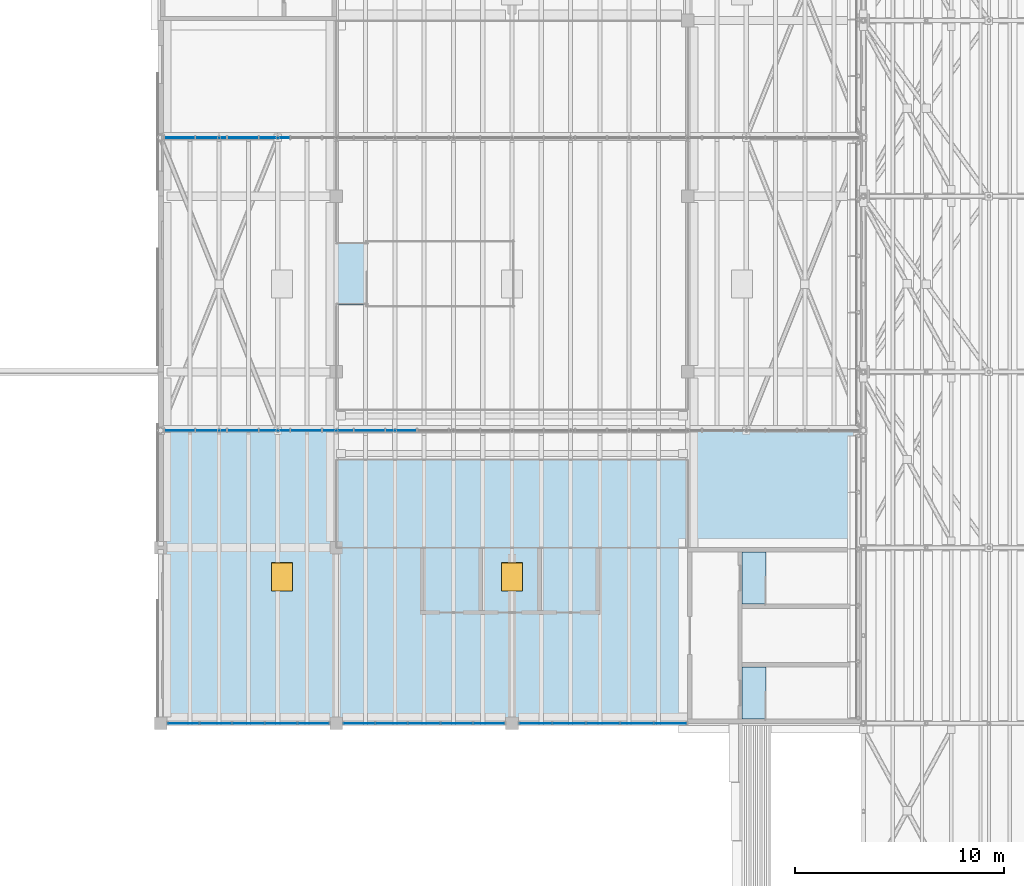
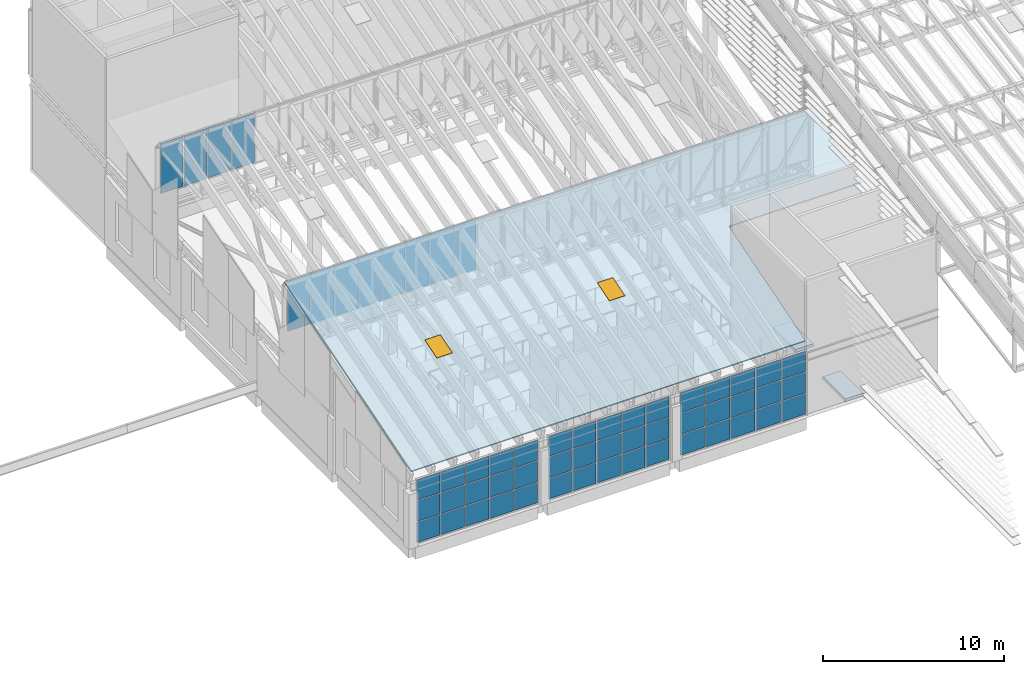
# One storey, part 59 of 91: 57 plates, 4 slabs, 2 windows, 2 openings, 5 elements without a shape of their own.
"""IFC4 building model written with IfcOpenShell, lengths in metres."""

from ifc_helpers import new_model, si_unit, direction, frame, origin, origin_2d, place, context, subcontext, project, spatial, polyline, rectangle, outline, extrude, material, layer, layer_set, type_object, element, fill, aggregate, save


model = new_model("IFC4")

# Units and contexts
model_context = context("Model", 3, precision=1e-05, world=origin(), true_north=direction((0.0, 1.0)))
body_context = subcontext(model_context, "Body", "Model", "MODEL_VIEW")
ifc_project = project(units=[si_unit("LENGTHUNIT", "METRE"), si_unit("AREAUNIT", "SQUARE_METRE"), si_unit("VOLUMEUNIT", "CUBIC_METRE"), si_unit("PLANEANGLEUNIT", "RADIAN"), si_unit("MASSUNIT", "GRAM", prefix="KILO")], contexts=[model_context])

# Site, building, storey
site_placement = place(None, origin())
site = spatial("IfcSite", under=ifc_project, at=site_placement, CompositionType="ELEMENT")
building_placement = place(site_placement, origin())
building = spatial("IfcBuilding", under=site, at=building_placement, Name="Almond Square Museum", CompositionType="ELEMENT")
storey_placement = place(building_placement, frame((0.0, 0.0, 30.0)))
storey = spatial("IfcBuildingStorey", under=building, at=storey_placement, Name="L05", CompositionType="ELEMENT", Elevation=30.0)

# Slabs
ifc_material_1 = material(Name="Concrete C40/50", Category="concrete")
ifc_layer_1 = layer(ifc_material_1, 0.199951171875)
ifc_layer_set_1 = layer_set([ifc_layer_1], Name="Concrete C40/50")
slab_type_1 = type_object("IfcSlabType", Name="Concrete stair landing 200", PredefinedType="LANDING", material=ifc_layer_set_1)
slab_1_placement = place(storey_placement, frame((0.0, 0.0, -0.199951171875)))
element("IfcSlab", 1, at=slab_1_placement, inside=storey, type_object=slab_type_1, Name="L05 stair A2-1 floor landing", PredefinedType="LANDING", context=body_context, shape_type="SweptSolid", body=[
    extrude(outline(polyline([(101.0, 67.39990234375), (102.153076171875, 67.39990234375), (102.153076171875, 69.89990234375), (101.0, 69.89990234375), (101.0, 67.39990234375)])), origin(), (0.0, 0.0, 1.0), 0.199951171875),
])
slab_2_placement = place(storey_placement, frame((0.0, 0.0, -0.199951171875)))
element("IfcSlab", 2, at=slab_2_placement, inside=storey, type_object=slab_type_1, Name="L05 stair A2-2 floor landing", PredefinedType="LANDING", context=body_context, shape_type="SweptSolid", body=[
    extrude(outline(polyline([(101.0, 72.89990234375), (102.153076171875, 72.89990234375), (102.153076171875, 75.39990234375), (101.0, 75.39990234375), (101.0, 72.89990234375)])), origin(), (0.0, 0.0, 1.0), 0.199951171875),
])
ifc_material_2 = material(Name="Concrete C40/50", Category="concrete")
ifc_layer_2 = layer(ifc_material_2, 0.199951171875)
ifc_layer_set_2 = layer_set([ifc_layer_2], Name="Concrete C40/50")
slab_type_2 = type_object("IfcSlabType", Name="Feature stair landing 200", PredefinedType="LANDING", material=ifc_layer_set_2)
slab_3_placement = place(storey_placement, frame((0.0, 0.0, -0.199951171875)))
element("IfcSlab", 3, at=slab_3_placement, inside=storey, type_object=slab_type_2, Name="L05 atrium feature stair floor landing", PredefinedType="LANDING", context=body_context, shape_type="SweptSolid", body=[
    extrude(outline(polyline([(81.60009765625, 87.199951171875), (83.10302734375, 87.199951171875), (83.10302734375, 90.199951171875), (81.60009765625, 90.199951171875), (81.60009765625, 87.199951171875)])), origin(), (0.0, 0.0, 1.0), 0.199951171875),
])

# Slab, openings, windows
ifc_material_3 = material(Name="Insulated aluminium roof deck", Category="aluminium")
ifc_layer_3 = layer(ifc_material_3, 0.10009765625)
ifc_layer_set_3 = layer_set([ifc_layer_3], Name="Insulated aluminium roof deck")
slab_type_3 = type_object("IfcSlabType", Name="Insulated metal deck roof 100", PredefinedType="ROOF", material=ifc_layer_set_3)
slab_4_placement = place(storey_placement, frame((73.199951171875, 67.199951171875, 5.0), z_axis=(5.49644e-07, -0.292373342907, 0.956304255118), x_axis=(-1e-12, 0.956304255118, 0.292373342907)))
slab_4 = element("IfcSlab", 4, at=slab_4_placement, inside=storey, type_object=slab_type_3, Name="Roof covering AR1", PredefinedType="ROOF", context=body_context, shape_type="SweptSolid", body=[
    extrude(outline(polyline([(0.0, 0.0), (14.639697425134251, -4.235164736271502e-22), (14.639697425112931, -33.60009765624492), (8.836069650501557, -33.60009765621324), (8.836069650506886, -25.199951171839512), (8.83599827029622, -25.19506835946784), (8.835064379422084, -25.190185546810905), (8.83375425540807, -25.185546874996394), (8.832210658675523, -25.180908203142643), (8.829895263576704, -25.176513671924518), (8.827346395759346, -25.17236328129216), (8.824259202294249, -25.168457031334665), (8.820938536110617, -25.164550781337933), (8.816917451771381, -25.161376953098497), (8.812824987221473, -25.15844726561239), (8.808499049953031, -25.15600585933705), (8.803868259755383, -25.1538085937758), (8.799003996839199, -25.15234375005032), (8.794139733923018, -25.151123046949838), (8.7890419982883, -25.15014648443512), (8.783944262653579, -25.150146484420404), (-1.5958560120650772e-11, -25.1501464843712), (0.0, 0.0)])), origin(), (0.0, 0.0, -1.0), 0.10009765625),
])
opening_1_placement = place(slab_4_placement, frame((7.31982421875, -5.800048828125, 0.010009765625), z_axis=(0.0, 0.0, -1.0), x_axis=(1.797794e-06, -0.999999999998, 0.0)))
opening_1 = element("IfcOpeningElement", 5, at=opening_1_placement, cuts=slab_4, Name="Opening RL11", PredefinedType="OPENING", context=body_context, shape_type="SweptSolid", body=[
    extrude(rectangle(XDim=1.0, YDim=1.39990234375, at=origin_2d()), origin(), (0.0, 0.0, 1.0), 0.1201171875),
])
opening_2_placement = place(slab_4_placement, frame((7.31982421875, -16.800048828125, 0.010009765625), z_axis=(0.0, 0.0, -1.0), x_axis=(1.797794e-06, -0.999999999998, 0.0)))
opening_2 = element("IfcOpeningElement", 6, at=opening_2_placement, cuts=slab_4, Name="Opening RL12", PredefinedType="OPENING", context=body_context, shape_type="SweptSolid", body=[
    extrude(rectangle(XDim=1.0, YDim=1.39990234375, at=origin_2d()), origin(), (0.0, 0.0, 1.0), 0.1201171875),
])
ifc_material_4 = material(Name="Aluminium frame and laminated glass", Category="aluminium")
window_type = type_object("IfcWindowType", Name="Rooflight 1000 x 1400", PartitioningType="SINGLE_PANEL", PredefinedType="SKYLIGHT", material=ifc_material_4)
window_1_placement = place(opening_1_placement, frame((0.0, 0.0, 0.010009765625)))
window_1 = element("IfcWindow", 7, at=window_1_placement, inside=storey, type_object=window_type, Name="Rooflight", OverallHeight=1.39990234375, OverallWidth=1.0, PartitioningType="SINGLE_PANEL", PredefinedType="SKYLIGHT", context=body_context, shape_type="SweptSolid", body=[
    extrude(rectangle(XDim=1.0, YDim=1.39990234375, at=origin_2d()), origin(), (0.0, 0.0, 1.0), 0.050048828125),
])
fill(opening_1, window_1)
window_2_placement = place(opening_2_placement, frame((0.0, 0.0, 0.010009765625)))
window_2 = element("IfcWindow", 8, at=window_2_placement, inside=storey, type_object=window_type, Name="Rooflight", OverallHeight=1.39990234375, OverallWidth=1.0, PartitioningType="SINGLE_PANEL", PredefinedType="SKYLIGHT", context=body_context, shape_type="SweptSolid", body=[
    extrude(rectangle(XDim=1.0, YDim=1.39990234375, at=origin_2d()), origin(), (0.0, 0.0, 1.0), 0.050048828125),
])
fill(opening_2, window_2)

# Curtain wall, plates
ifc_material_5 = material(Name="Aluminium and laminated glass", Category="aluminium")
curtain_wall_type = type_object("IfcCurtainWallType", Name="Unitised curtain wall 1500 module", PredefinedType="NOTDEFINED", material=ifc_material_5)
curtain_wall_1_placement = place(storey_placement, origin())
curtain_wall_1 = element("IfcCurtainWall", 9, at=curtain_wall_1_placement, inside=storey, type_object=curtain_wall_type, Name="Curtain wall CW-50", PredefinedType="NOTDEFINED")
ifc_material_6 = material(Name="Laminated hurricane-rated glass", Category="glass")
ifc_layer_4 = layer(ifc_material_6, 0.035888671875)
ifc_layer_set_4 = layer_set([ifc_layer_4], Name="Laminated hurricane-rated glass")
plate_type = type_object("IfcPlateType", Name="Laminated glass panel 36", PredefinedType="CURTAIN_PANEL", material=ifc_layer_set_4)
plate_1_placement = place(storey_placement, frame((74.294921875, 67.199951171875, 0.06005859375), z_axis=(0.0, 0.0, 1.0), x_axis=(1.0, 0.0, 0.0)))
plate_1 = element("IfcPlate", 10, at=plate_1_placement, type_object=plate_type, Name="CW-50 panel 1.1", PredefinedType="CURTAIN_PANEL", context=body_context, shape_type="SweptSolid", body=[
    extrude(rectangle(XDim=1.469970703125, YDim=0.035888671875, at=origin_2d()), origin(), (0.0, 0.0, 1.0), 1.35888671875),
])
plate_2_placement = place(storey_placement, frame((74.294921875, 67.199951171875, 1.47900390625), z_axis=(0.0, 0.0, 1.0), x_axis=(1.0, 0.0, 0.0)))
plate_2 = element("IfcPlate", 11, at=plate_2_placement, type_object=plate_type, Name="CW-50 panel 1.2", PredefinedType="CURTAIN_PANEL", context=body_context, shape_type="SweptSolid", body=[
    extrude(rectangle(XDim=1.469970703125, YDim=0.035888671875, at=origin_2d()), origin(), (0.0, 0.0, 1.0), 1.388916015625),
])
plate_3_placement = place(storey_placement, frame((74.294921875, 67.199951171875, 2.927978515625), z_axis=(0.0, 0.0, 1.0), x_axis=(1.0, 0.0, 0.0)))
plate_3 = element("IfcPlate", 12, at=plate_3_placement, type_object=plate_type, Name="CW-50 panel 1.3", PredefinedType="CURTAIN_PANEL", context=body_context, shape_type="SweptSolid", body=[
    extrude(rectangle(XDim=1.469970703125, YDim=0.035888671875, at=origin_2d()), origin(), (0.0, 0.0, 1.0), 1.35888671875),
])
plate_4_placement = place(storey_placement, frame((75.840087890625, 67.199951171875, 0.06005859375), z_axis=(0.0, 0.0, 1.0), x_axis=(1.0, 0.0, 0.0)))
plate_4 = element("IfcPlate", 13, at=plate_4_placement, type_object=plate_type, Name="CW-50 panel 2.1", PredefinedType="CURTAIN_PANEL", context=body_context, shape_type="SweptSolid", body=[
    extrude(rectangle(XDim=1.5, YDim=0.035888671875, at=origin_2d()), origin(), (0.0, 0.0, 1.0), 1.35888671875),
])
plate_5_placement = place(storey_placement, frame((75.840087890625, 67.199951171875, 1.47900390625), z_axis=(0.0, 0.0, 1.0), x_axis=(1.0, 0.0, 0.0)))
plate_5 = element("IfcPlate", 14, at=plate_5_placement, type_object=plate_type, Name="CW-50 panel 2.2", PredefinedType="CURTAIN_PANEL", context=body_context, shape_type="SweptSolid", body=[
    extrude(rectangle(XDim=1.5, YDim=0.035888671875, at=origin_2d()), origin(), (0.0, 0.0, 1.0), 1.388916015625),
])
plate_6_placement = place(storey_placement, frame((75.840087890625, 67.199951171875, 2.927978515625), z_axis=(0.0, 0.0, 1.0), x_axis=(1.0, 0.0, 0.0)))
plate_6 = element("IfcPlate", 15, at=plate_6_placement, type_object=plate_type, Name="CW-50 panel 2.3", PredefinedType="CURTAIN_PANEL", context=body_context, shape_type="SweptSolid", body=[
    extrude(rectangle(XDim=1.5, YDim=0.035888671875, at=origin_2d()), origin(), (0.0, 0.0, 1.0), 1.35888671875),
])
plate_7_placement = place(storey_placement, frame((77.39990234375, 67.199951171875, 0.06005859375), z_axis=(0.0, 0.0, 1.0), x_axis=(1.0, 0.0, 0.0)))
plate_7 = element("IfcPlate", 16, at=plate_7_placement, type_object=plate_type, Name="CW-50 panel 3.1", PredefinedType="CURTAIN_PANEL", context=body_context, shape_type="SweptSolid", body=[
    extrude(rectangle(XDim=1.5, YDim=0.035888671875, at=origin_2d()), origin(), (0.0, 0.0, 1.0), 1.35888671875),
])
plate_8_placement = place(storey_placement, frame((77.39990234375, 67.199951171875, 1.47900390625), z_axis=(0.0, 0.0, 1.0), x_axis=(1.0, 0.0, 0.0)))
plate_8 = element("IfcPlate", 17, at=plate_8_placement, type_object=plate_type, Name="CW-50 panel 3.2", PredefinedType="CURTAIN_PANEL", context=body_context, shape_type="SweptSolid", body=[
    extrude(rectangle(XDim=1.5, YDim=0.035888671875, at=origin_2d()), origin(), (0.0, 0.0, 1.0), 1.388916015625),
])
plate_9_placement = place(storey_placement, frame((77.39990234375, 67.199951171875, 2.927978515625), z_axis=(0.0, 0.0, 1.0), x_axis=(1.0, 0.0, 0.0)))
plate_9 = element("IfcPlate", 18, at=plate_9_placement, type_object=plate_type, Name="CW-50 panel 3.3", PredefinedType="CURTAIN_PANEL", context=body_context, shape_type="SweptSolid", body=[
    extrude(rectangle(XDim=1.5, YDim=0.035888671875, at=origin_2d()), origin(), (0.0, 0.0, 1.0), 1.35888671875),
])
plate_10_placement = place(storey_placement, frame((78.9599609375, 67.199951171875, 0.06005859375), z_axis=(0.0, 0.0, 1.0), x_axis=(1.0, 0.0, 0.0)))
plate_10 = element("IfcPlate", 19, at=plate_10_placement, type_object=plate_type, Name="CW-50 panel 4.1", PredefinedType="CURTAIN_PANEL", context=body_context, shape_type="SweptSolid", body=[
    extrude(rectangle(XDim=1.5, YDim=0.035888671875, at=origin_2d()), origin(), (0.0, 0.0, 1.0), 1.35888671875),
])
plate_11_placement = place(storey_placement, frame((78.9599609375, 67.199951171875, 1.47900390625), z_axis=(0.0, 0.0, 1.0), x_axis=(1.0, 0.0, 0.0)))
plate_11 = element("IfcPlate", 20, at=plate_11_placement, type_object=plate_type, Name="CW-50 panel 4.2", PredefinedType="CURTAIN_PANEL", context=body_context, shape_type="SweptSolid", body=[
    extrude(rectangle(XDim=1.5, YDim=0.035888671875, at=origin_2d()), origin(), (0.0, 0.0, 1.0), 1.388916015625),
])
plate_12_placement = place(storey_placement, frame((78.9599609375, 67.199951171875, 2.927978515625), z_axis=(0.0, 0.0, 1.0), x_axis=(1.0, 0.0, 0.0)))
plate_12 = element("IfcPlate", 21, at=plate_12_placement, type_object=plate_type, Name="CW-50 panel 4.3", PredefinedType="CURTAIN_PANEL", context=body_context, shape_type="SweptSolid", body=[
    extrude(rectangle(XDim=1.5, YDim=0.035888671875, at=origin_2d()), origin(), (0.0, 0.0, 1.0), 1.35888671875),
])
plate_13_placement = place(storey_placement, frame((80.5048828125, 67.199951171875, 0.06005859375), z_axis=(0.0, 0.0, 1.0), x_axis=(1.0, 0.0, 0.0)))
plate_13 = element("IfcPlate", 22, at=plate_13_placement, type_object=plate_type, Name="CW-50 panel 5.1", PredefinedType="CURTAIN_PANEL", context=body_context, shape_type="SweptSolid", body=[
    extrude(rectangle(XDim=1.469970703125, YDim=0.035888671875, at=origin_2d()), origin(), (0.0, 0.0, 1.0), 1.35888671875),
])
plate_14_placement = place(storey_placement, frame((80.5048828125, 67.199951171875, 1.47900390625), z_axis=(0.0, 0.0, 1.0), x_axis=(1.0, 0.0, 0.0)))
plate_14 = element("IfcPlate", 23, at=plate_14_placement, type_object=plate_type, Name="CW-50 panel 5.2", PredefinedType="CURTAIN_PANEL", context=body_context, shape_type="SweptSolid", body=[
    extrude(rectangle(XDim=1.469970703125, YDim=0.035888671875, at=origin_2d()), origin(), (0.0, 0.0, 1.0), 1.388916015625),
])
plate_15_placement = place(storey_placement, frame((80.5048828125, 67.199951171875, 2.927978515625), z_axis=(0.0, 0.0, 1.0), x_axis=(1.0, 0.0, 0.0)))
plate_15 = element("IfcPlate", 24, at=plate_15_placement, type_object=plate_type, Name="CW-50 panel 5.3", PredefinedType="CURTAIN_PANEL", context=body_context, shape_type="SweptSolid", body=[
    extrude(rectangle(XDim=1.469970703125, YDim=0.035888671875, at=origin_2d()), origin(), (0.0, 0.0, 1.0), 1.35888671875),
])
aggregate(curtain_wall_1, [plate_1, plate_2, plate_3, plate_4, plate_5, plate_6, plate_7, plate_8, plate_9, plate_10, plate_11, plate_12, plate_13, plate_14, plate_15])

curtain_wall_2_placement = place(storey_placement, origin())
curtain_wall_2 = element("IfcCurtainWall", 25, at=curtain_wall_2_placement, inside=storey, type_object=curtain_wall_type, Name="Curtain wall CW-51", PredefinedType="NOTDEFINED")
plate_16_placement = place(storey_placement, frame((82.695068359375, 67.199951171875, 0.06005859375), z_axis=(0.0, 0.0, 1.0), x_axis=(1.0, 0.0, 0.0)))
plate_16 = element("IfcPlate", 26, at=plate_16_placement, type_object=plate_type, Name="CW-51 panel 1.1", PredefinedType="CURTAIN_PANEL", context=body_context, shape_type="SweptSolid", body=[
    extrude(rectangle(XDim=1.469970703125, YDim=0.035888671875, at=origin_2d()), origin(), (0.0, 0.0, 1.0), 1.35888671875),
])
plate_17_placement = place(storey_placement, frame((82.695068359375, 67.199951171875, 1.47900390625), z_axis=(0.0, 0.0, 1.0), x_axis=(1.0, 0.0, 0.0)))
plate_17 = element("IfcPlate", 27, at=plate_17_placement, type_object=plate_type, Name="CW-51 panel 1.2", PredefinedType="CURTAIN_PANEL", context=body_context, shape_type="SweptSolid", body=[
    extrude(rectangle(XDim=1.469970703125, YDim=0.035888671875, at=origin_2d()), origin(), (0.0, 0.0, 1.0), 1.388916015625),
])
plate_18_placement = place(storey_placement, frame((82.695068359375, 67.199951171875, 2.927978515625), z_axis=(0.0, 0.0, 1.0), x_axis=(1.0, 0.0, 0.0)))
plate_18 = element("IfcPlate", 28, at=plate_18_placement, type_object=plate_type, Name="CW-51 panel 1.3", PredefinedType="CURTAIN_PANEL", context=body_context, shape_type="SweptSolid", body=[
    extrude(rectangle(XDim=1.469970703125, YDim=0.035888671875, at=origin_2d()), origin(), (0.0, 0.0, 1.0), 1.35888671875),
])
plate_19_placement = place(storey_placement, frame((84.239990234375, 67.199951171875, 0.06005859375), z_axis=(0.0, 0.0, 1.0), x_axis=(1.0, 0.0, 0.0)))
plate_19 = element("IfcPlate", 29, at=plate_19_placement, type_object=plate_type, Name="CW-51 panel 2.1", PredefinedType="CURTAIN_PANEL", context=body_context, shape_type="SweptSolid", body=[
    extrude(rectangle(XDim=1.5, YDim=0.035888671875, at=origin_2d()), origin(), (0.0, 0.0, 1.0), 1.35888671875),
])
plate_20_placement = place(storey_placement, frame((84.239990234375, 67.199951171875, 1.47900390625), z_axis=(0.0, 0.0, 1.0), x_axis=(1.0, 0.0, 0.0)))
plate_20 = element("IfcPlate", 30, at=plate_20_placement, type_object=plate_type, Name="CW-51 panel 2.2", PredefinedType="CURTAIN_PANEL", context=body_context, shape_type="SweptSolid", body=[
    extrude(rectangle(XDim=1.5, YDim=0.035888671875, at=origin_2d()), origin(), (0.0, 0.0, 1.0), 1.388916015625),
])
plate_21_placement = place(storey_placement, frame((84.239990234375, 67.199951171875, 2.927978515625), z_axis=(0.0, 0.0, 1.0), x_axis=(1.0, 0.0, 0.0)))
plate_21 = element("IfcPlate", 31, at=plate_21_placement, type_object=plate_type, Name="CW-51 panel 2.3", PredefinedType="CURTAIN_PANEL", context=body_context, shape_type="SweptSolid", body=[
    extrude(rectangle(XDim=1.5, YDim=0.035888671875, at=origin_2d()), origin(), (0.0, 0.0, 1.0), 1.35888671875),
])
plate_22_placement = place(storey_placement, frame((85.800048828125, 67.199951171875, 0.06005859375), z_axis=(0.0, 0.0, 1.0), x_axis=(1.0, 0.0, 0.0)))
plate_22 = element("IfcPlate", 32, at=plate_22_placement, type_object=plate_type, Name="CW-51 panel 3.1", PredefinedType="CURTAIN_PANEL", context=body_context, shape_type="SweptSolid", body=[
    extrude(rectangle(XDim=1.5, YDim=0.035888671875, at=origin_2d()), origin(), (0.0, 0.0, 1.0), 1.35888671875),
])
plate_23_placement = place(storey_placement, frame((85.800048828125, 67.199951171875, 1.47900390625), z_axis=(0.0, 0.0, 1.0), x_axis=(1.0, 0.0, 0.0)))
plate_23 = element("IfcPlate", 33, at=plate_23_placement, type_object=plate_type, Name="CW-51 panel 3.2", PredefinedType="CURTAIN_PANEL", context=body_context, shape_type="SweptSolid", body=[
    extrude(rectangle(XDim=1.5, YDim=0.035888671875, at=origin_2d()), origin(), (0.0, 0.0, 1.0), 1.388916015625),
])
plate_24_placement = place(storey_placement, frame((85.800048828125, 67.199951171875, 2.927978515625), z_axis=(0.0, 0.0, 1.0), x_axis=(1.0, 0.0, 0.0)))
plate_24 = element("IfcPlate", 34, at=plate_24_placement, type_object=plate_type, Name="CW-51 panel 3.3", PredefinedType="CURTAIN_PANEL", context=body_context, shape_type="SweptSolid", body=[
    extrude(rectangle(XDim=1.5, YDim=0.035888671875, at=origin_2d()), origin(), (0.0, 0.0, 1.0), 1.35888671875),
])
plate_25_placement = place(storey_placement, frame((87.360107421875, 67.199951171875, 0.06005859375), z_axis=(0.0, 0.0, 1.0), x_axis=(1.0, 0.0, 0.0)))
plate_25 = element("IfcPlate", 35, at=plate_25_placement, type_object=plate_type, Name="CW-51 panel 4.1", PredefinedType="CURTAIN_PANEL", context=body_context, shape_type="SweptSolid", body=[
    extrude(rectangle(XDim=1.5, YDim=0.035888671875, at=origin_2d()), origin(), (0.0, 0.0, 1.0), 1.35888671875),
])
plate_26_placement = place(storey_placement, frame((87.360107421875, 67.199951171875, 1.47900390625), z_axis=(0.0, 0.0, 1.0), x_axis=(1.0, 0.0, 0.0)))
plate_26 = element("IfcPlate", 36, at=plate_26_placement, type_object=plate_type, Name="CW-51 panel 4.2", PredefinedType="CURTAIN_PANEL", context=body_context, shape_type="SweptSolid", body=[
    extrude(rectangle(XDim=1.5, YDim=0.035888671875, at=origin_2d()), origin(), (0.0, 0.0, 1.0), 1.388916015625),
])
plate_27_placement = place(storey_placement, frame((87.360107421875, 67.199951171875, 2.927978515625), z_axis=(0.0, 0.0, 1.0), x_axis=(1.0, 0.0, 0.0)))
plate_27 = element("IfcPlate", 37, at=plate_27_placement, type_object=plate_type, Name="CW-51 panel 4.3", PredefinedType="CURTAIN_PANEL", context=body_context, shape_type="SweptSolid", body=[
    extrude(rectangle(XDim=1.5, YDim=0.035888671875, at=origin_2d()), origin(), (0.0, 0.0, 1.0), 1.35888671875),
])
plate_28_placement = place(storey_placement, frame((88.905029296875, 67.199951171875, 0.06005859375), z_axis=(0.0, 0.0, 1.0), x_axis=(1.0, 0.0, 0.0)))
plate_28 = element("IfcPlate", 38, at=plate_28_placement, type_object=plate_type, Name="CW-51 panel 5.1", PredefinedType="CURTAIN_PANEL", context=body_context, shape_type="SweptSolid", body=[
    extrude(rectangle(XDim=1.469970703125, YDim=0.035888671875, at=origin_2d()), origin(), (0.0, 0.0, 1.0), 1.35888671875),
])
plate_29_placement = place(storey_placement, frame((88.905029296875, 67.199951171875, 1.47900390625), z_axis=(0.0, 0.0, 1.0), x_axis=(1.0, 0.0, 0.0)))
plate_29 = element("IfcPlate", 39, at=plate_29_placement, type_object=plate_type, Name="CW-51 panel 5.2", PredefinedType="CURTAIN_PANEL", context=body_context, shape_type="SweptSolid", body=[
    extrude(rectangle(XDim=1.469970703125, YDim=0.035888671875, at=origin_2d()), origin(), (0.0, 0.0, 1.0), 1.388916015625),
])
plate_30_placement = place(storey_placement, frame((88.905029296875, 67.199951171875, 2.927978515625), z_axis=(0.0, 0.0, 1.0), x_axis=(1.0, 0.0, 0.0)))
plate_30 = element("IfcPlate", 40, at=plate_30_placement, type_object=plate_type, Name="CW-51 panel 5.3", PredefinedType="CURTAIN_PANEL", context=body_context, shape_type="SweptSolid", body=[
    extrude(rectangle(XDim=1.469970703125, YDim=0.035888671875, at=origin_2d()), origin(), (0.0, 0.0, 1.0), 1.35888671875),
])
aggregate(curtain_wall_2, [plate_16, plate_17, plate_18, plate_19, plate_20, plate_21, plate_22, plate_23, plate_24, plate_25, plate_26, plate_27, plate_28, plate_29, plate_30])

curtain_wall_3_placement = place(storey_placement, origin())
curtain_wall_3 = element("IfcCurtainWall", 41, at=curtain_wall_3_placement, inside=storey, type_object=curtain_wall_type, Name="Curtain wall CW-52", PredefinedType="NOTDEFINED")
plate_31_placement = place(storey_placement, frame((91.125, 67.199951171875, 0.06005859375), z_axis=(0.0, 0.0, 1.0), x_axis=(1.0, 0.0, 0.0)))
plate_31 = element("IfcPlate", 42, at=plate_31_placement, type_object=plate_type, Name="CW-52 panel 1.1", PredefinedType="CURTAIN_PANEL", context=body_context, shape_type="SweptSolid", body=[
    extrude(rectangle(XDim=1.530029296875, YDim=0.035888671875, at=origin_2d()), origin(), (0.0, 0.0, 1.0), 1.35888671875),
])
plate_32_placement = place(storey_placement, frame((91.125, 67.199951171875, 1.47900390625), z_axis=(0.0, 0.0, 1.0), x_axis=(1.0, 0.0, 0.0)))
plate_32 = element("IfcPlate", 43, at=plate_32_placement, type_object=plate_type, Name="CW-52 panel 1.2", PredefinedType="CURTAIN_PANEL", context=body_context, shape_type="SweptSolid", body=[
    extrude(rectangle(XDim=1.530029296875, YDim=0.035888671875, at=origin_2d()), origin(), (0.0, 0.0, 1.0), 1.388916015625),
])
plate_33_placement = place(storey_placement, frame((91.125, 67.199951171875, 2.927978515625), z_axis=(0.0, 0.0, 1.0), x_axis=(1.0, 0.0, 0.0)))
plate_33 = element("IfcPlate", 44, at=plate_33_placement, type_object=plate_type, Name="CW-52 panel 1.3", PredefinedType="CURTAIN_PANEL", context=body_context, shape_type="SweptSolid", body=[
    extrude(rectangle(XDim=1.530029296875, YDim=0.035888671875, at=origin_2d()), origin(), (0.0, 0.0, 1.0), 1.35888671875),
])
plate_34_placement = place(storey_placement, frame((92.72998046875, 67.199951171875, 0.06005859375), z_axis=(0.0, 0.0, 1.0), x_axis=(1.0, 0.0, 0.0)))
plate_34 = element("IfcPlate", 45, at=plate_34_placement, type_object=plate_type, Name="CW-52 panel 2.1", PredefinedType="CURTAIN_PANEL", context=body_context, shape_type="SweptSolid", body=[
    extrude(rectangle(XDim=1.56005859375, YDim=0.035888671875, at=origin_2d()), origin(), (0.0, 0.0, 1.0), 1.35888671875),
])
plate_35_placement = place(storey_placement, frame((92.72998046875, 67.199951171875, 1.47900390625), z_axis=(0.0, 0.0, 1.0), x_axis=(1.0, 0.0, 0.0)))
plate_35 = element("IfcPlate", 46, at=plate_35_placement, type_object=plate_type, Name="CW-52 panel 2.2", PredefinedType="CURTAIN_PANEL", context=body_context, shape_type="SweptSolid", body=[
    extrude(rectangle(XDim=1.56005859375, YDim=0.035888671875, at=origin_2d()), origin(), (0.0, 0.0, 1.0), 1.388916015625),
])
plate_36_placement = place(storey_placement, frame((92.72998046875, 67.199951171875, 2.927978515625), z_axis=(0.0, 0.0, 1.0), x_axis=(1.0, 0.0, 0.0)))
plate_36 = element("IfcPlate", 47, at=plate_36_placement, type_object=plate_type, Name="CW-52 panel 2.3", PredefinedType="CURTAIN_PANEL", context=body_context, shape_type="SweptSolid", body=[
    extrude(rectangle(XDim=1.56005859375, YDim=0.035888671875, at=origin_2d()), origin(), (0.0, 0.0, 1.0), 1.35888671875),
])
plate_37_placement = place(storey_placement, frame((94.35009765625, 67.199951171875, 0.06005859375), z_axis=(0.0, 0.0, 1.0), x_axis=(1.0, 0.0, 0.0)))
plate_37 = element("IfcPlate", 48, at=plate_37_placement, type_object=plate_type, Name="CW-52 panel 3.1", PredefinedType="CURTAIN_PANEL", context=body_context, shape_type="SweptSolid", body=[
    extrude(rectangle(XDim=1.56005859375, YDim=0.035888671875, at=origin_2d()), origin(), (0.0, 0.0, 1.0), 1.35888671875),
])
plate_38_placement = place(storey_placement, frame((94.35009765625, 67.199951171875, 1.47900390625), z_axis=(0.0, 0.0, 1.0), x_axis=(1.0, 0.0, 0.0)))
plate_38 = element("IfcPlate", 49, at=plate_38_placement, type_object=plate_type, Name="CW-52 panel 3.2", PredefinedType="CURTAIN_PANEL", context=body_context, shape_type="SweptSolid", body=[
    extrude(rectangle(XDim=1.56005859375, YDim=0.035888671875, at=origin_2d()), origin(), (0.0, 0.0, 1.0), 1.388916015625),
])
plate_39_placement = place(storey_placement, frame((94.35009765625, 67.199951171875, 2.927978515625), z_axis=(0.0, 0.0, 1.0), x_axis=(1.0, 0.0, 0.0)))
plate_39 = element("IfcPlate", 50, at=plate_39_placement, type_object=plate_type, Name="CW-52 panel 3.3", PredefinedType="CURTAIN_PANEL", context=body_context, shape_type="SweptSolid", body=[
    extrude(rectangle(XDim=1.56005859375, YDim=0.035888671875, at=origin_2d()), origin(), (0.0, 0.0, 1.0), 1.35888671875),
])
plate_40_placement = place(storey_placement, frame((95.969970703125, 67.199951171875, 0.06005859375), z_axis=(0.0, 0.0, 1.0), x_axis=(1.0, 0.0, 0.0)))
plate_40 = element("IfcPlate", 51, at=plate_40_placement, type_object=plate_type, Name="CW-52 panel 4.1", PredefinedType="CURTAIN_PANEL", context=body_context, shape_type="SweptSolid", body=[
    extrude(rectangle(XDim=1.56005859375, YDim=0.035888671875, at=origin_2d()), origin(), (0.0, 0.0, 1.0), 1.35888671875),
])
plate_41_placement = place(storey_placement, frame((95.969970703125, 67.199951171875, 1.47900390625), z_axis=(0.0, 0.0, 1.0), x_axis=(1.0, 0.0, 0.0)))
plate_41 = element("IfcPlate", 52, at=plate_41_placement, type_object=plate_type, Name="CW-52 panel 4.2", PredefinedType="CURTAIN_PANEL", context=body_context, shape_type="SweptSolid", body=[
    extrude(rectangle(XDim=1.56005859375, YDim=0.035888671875, at=origin_2d()), origin(), (0.0, 0.0, 1.0), 1.388916015625),
])
plate_42_placement = place(storey_placement, frame((95.969970703125, 67.199951171875, 2.927978515625), z_axis=(0.0, 0.0, 1.0), x_axis=(1.0, 0.0, 0.0)))
plate_42 = element("IfcPlate", 53, at=plate_42_placement, type_object=plate_type, Name="CW-52 panel 4.3", PredefinedType="CURTAIN_PANEL", context=body_context, shape_type="SweptSolid", body=[
    extrude(rectangle(XDim=1.56005859375, YDim=0.035888671875, at=origin_2d()), origin(), (0.0, 0.0, 1.0), 1.35888671875),
])
plate_43_placement = place(storey_placement, frame((97.574951171875, 67.199951171875, 0.06005859375), z_axis=(0.0, 0.0, 1.0), x_axis=(1.0, 0.0, 0.0)))
plate_43 = element("IfcPlate", 54, at=plate_43_placement, type_object=plate_type, Name="CW-52 panel 5.1", PredefinedType="CURTAIN_PANEL", context=body_context, shape_type="SweptSolid", body=[
    extrude(rectangle(XDim=1.530029296875, YDim=0.035888671875, at=origin_2d()), origin(), (0.0, 0.0, 1.0), 1.35888671875),
])
plate_44_placement = place(storey_placement, frame((97.574951171875, 67.199951171875, 1.47900390625), z_axis=(0.0, 0.0, 1.0), x_axis=(1.0, 0.0, 0.0)))
plate_44 = element("IfcPlate", 55, at=plate_44_placement, type_object=plate_type, Name="CW-52 panel 5.2", PredefinedType="CURTAIN_PANEL", context=body_context, shape_type="SweptSolid", body=[
    extrude(rectangle(XDim=1.530029296875, YDim=0.035888671875, at=origin_2d()), origin(), (0.0, 0.0, 1.0), 1.388916015625),
])
plate_45_placement = place(storey_placement, frame((97.574951171875, 67.199951171875, 2.927978515625), z_axis=(0.0, 0.0, 1.0), x_axis=(1.0, 0.0, 0.0)))
plate_45 = element("IfcPlate", 56, at=plate_45_placement, type_object=plate_type, Name="CW-52 panel 5.3", PredefinedType="CURTAIN_PANEL", context=body_context, shape_type="SweptSolid", body=[
    extrude(rectangle(XDim=1.530029296875, YDim=0.035888671875, at=origin_2d()), origin(), (0.0, 0.0, 1.0), 1.35888671875),
])
aggregate(curtain_wall_3, [plate_31, plate_32, plate_33, plate_34, plate_35, plate_36, plate_37, plate_38, plate_39, plate_40, plate_41, plate_42, plate_43, plate_44, plate_45])

curtain_wall_4_placement = place(storey_placement, origin())
curtain_wall_4 = element("IfcCurtainWall", 57, at=curtain_wall_4_placement, inside=storey, type_object=curtain_wall_type, Name="Rooflight glazing AG1", PredefinedType="NOTDEFINED")
plate_46_placement = place(storey_placement, frame((74.121826171875, 81.199951171875, 5.85986328125), z_axis=(0.0, 0.0, 1.0), x_axis=(1.0, 0.0, 0.0)))
plate_46 = element("IfcPlate", 58, at=plate_46_placement, type_object=plate_type, Name="CW-56 panel 1.1", PredefinedType="CURTAIN_PANEL", context=body_context, shape_type="SweptSolid", body=[
    extrude(rectangle(XDim=1.423583984375, YDim=0.035888671875, at=origin_2d()), origin(), (0.0, 0.0, 1.0), 3.3603515625),
])
plate_47_placement = place(storey_placement, frame((75.620361328125, 81.199951171875, 5.85986328125), z_axis=(0.0, 0.0, 1.0), x_axis=(1.0, 0.0, 0.0)))
plate_47 = element("IfcPlate", 59, at=plate_47_placement, type_object=plate_type, Name="CW-56 panel 2.1", PredefinedType="CURTAIN_PANEL", context=body_context, shape_type="SweptSolid", body=[
    extrude(rectangle(XDim=1.45361328125, YDim=0.035888671875, at=origin_2d()), origin(), (0.0, 0.0, 1.0), 3.3603515625),
])
plate_48_placement = place(storey_placement, frame((77.134033203125, 81.199951171875, 5.85986328125), z_axis=(0.0, 0.0, 1.0), x_axis=(1.0, 0.0, 0.0)))
plate_48 = element("IfcPlate", 60, at=plate_48_placement, type_object=plate_type, Name="CW-56 panel 3.1", PredefinedType="CURTAIN_PANEL", context=body_context, shape_type="SweptSolid", body=[
    extrude(rectangle(XDim=1.45361328125, YDim=0.035888671875, at=origin_2d()), origin(), (0.0, 0.0, 1.0), 3.3603515625),
])
plate_49_placement = place(storey_placement, frame((78.647705078125, 81.199951171875, 5.85986328125), z_axis=(0.0, 0.0, 1.0), x_axis=(1.0, 0.0, 0.0)))
plate_49 = element("IfcPlate", 61, at=plate_49_placement, type_object=plate_type, Name="CW-56 panel 4.1", PredefinedType="CURTAIN_PANEL", context=body_context, shape_type="SweptSolid", body=[
    extrude(rectangle(XDim=1.45361328125, YDim=0.035888671875, at=origin_2d()), origin(), (0.0, 0.0, 1.0), 3.3603515625),
])
plate_50_placement = place(storey_placement, frame((80.161376953125, 81.199951171875, 5.85986328125), z_axis=(0.0, 0.0, 1.0), x_axis=(1.0, 0.0, 0.0)))
plate_50 = element("IfcPlate", 62, at=plate_50_placement, type_object=plate_type, Name="CW-56 panel 5.1", PredefinedType="CURTAIN_PANEL", context=body_context, shape_type="SweptSolid", body=[
    extrude(rectangle(XDim=1.45361328125, YDim=0.035888671875, at=origin_2d()), origin(), (0.0, 0.0, 1.0), 3.3603515625),
])
plate_51_placement = place(storey_placement, frame((81.675048828125, 81.199951171875, 5.85986328125), z_axis=(0.0, 0.0, 1.0), x_axis=(1.0, 0.0, 0.0)))
plate_51 = element("IfcPlate", 63, at=plate_51_placement, type_object=plate_type, Name="CW-56 panel 6.1", PredefinedType="CURTAIN_PANEL", context=body_context, shape_type="SweptSolid", body=[
    extrude(rectangle(XDim=1.45361328125, YDim=0.035888671875, at=origin_2d()), origin(), (0.0, 0.0, 1.0), 3.3603515625),
])
plate_52_placement = place(storey_placement, frame((83.188720703125, 81.199951171875, 5.85986328125), z_axis=(0.0, 0.0, 1.0), x_axis=(1.0, 0.0, 0.0)))
plate_52 = element("IfcPlate", 64, at=plate_52_placement, type_object=plate_type, Name="CW-56 panel 7.1", PredefinedType="CURTAIN_PANEL", context=body_context, shape_type="SweptSolid", body=[
    extrude(rectangle(XDim=1.45361328125, YDim=0.035888671875, at=origin_2d()), origin(), (0.0, 0.0, 1.0), 3.3603515625),
])
plate_53_placement = place(storey_placement, frame((84.702392578125, 81.199951171875, 5.85986328125), z_axis=(0.0, 0.0, 1.0), x_axis=(1.0, 0.0, 0.0)))
plate_53 = element("IfcPlate", 65, at=plate_53_placement, type_object=plate_type, Name="CW-56 panel 8.1", PredefinedType="CURTAIN_PANEL", context=body_context, shape_type="SweptSolid", body=[
    extrude(rectangle(XDim=1.45361328125, YDim=0.035888671875, at=origin_2d()), origin(), (0.0, 0.0, 1.0), 3.3603515625),
])
aggregate(curtain_wall_4, [plate_46, plate_47, plate_48, plate_49, plate_50, plate_51, plate_52, plate_53])

curtain_wall_5_placement = place(storey_placement, origin())
curtain_wall_5 = element("IfcCurtainWall", 66, at=curtain_wall_5_placement, inside=storey, type_object=curtain_wall_type, Name="Rooflight glazing AG2", PredefinedType="NOTDEFINED")
plate_54_placement = place(storey_placement, frame((74.121826171875, 95.199951171875, 6.659912109375), z_axis=(0.0, 0.0, 1.0), x_axis=(1.0, 0.0, 0.0)))
plate_54 = element("IfcPlate", 67, at=plate_54_placement, type_object=plate_type, Name="CW-57 panel 1.1", PredefinedType="CURTAIN_PANEL", context=body_context, shape_type="SweptSolid", body=[
    extrude(rectangle(XDim=1.423583984375, YDim=0.035888671875, at=origin_2d()), origin(), (0.0, 0.0, 1.0), 3.3603515625),
])
plate_55_placement = place(storey_placement, frame((75.620361328125, 95.199951171875, 6.659912109375), z_axis=(0.0, 0.0, 1.0), x_axis=(1.0, 0.0, 0.0)))
plate_55 = element("IfcPlate", 68, at=plate_55_placement, type_object=plate_type, Name="CW-57 panel 2.1", PredefinedType="CURTAIN_PANEL", context=body_context, shape_type="SweptSolid", body=[
    extrude(rectangle(XDim=1.45361328125, YDim=0.035888671875, at=origin_2d()), origin(), (0.0, 0.0, 1.0), 3.3603515625),
])
plate_56_placement = place(storey_placement, frame((77.134033203125, 95.199951171875, 6.659912109375), z_axis=(0.0, 0.0, 1.0), x_axis=(1.0, 0.0, 0.0)))
plate_56 = element("IfcPlate", 69, at=plate_56_placement, type_object=plate_type, Name="CW-57 panel 3.1", PredefinedType="CURTAIN_PANEL", context=body_context, shape_type="SweptSolid", body=[
    extrude(rectangle(XDim=1.45361328125, YDim=0.035888671875, at=origin_2d()), origin(), (0.0, 0.0, 1.0), 3.3603515625),
])
plate_57_placement = place(storey_placement, frame((78.647705078125, 95.199951171875, 6.659912109375), z_axis=(0.0, 0.0, 1.0), x_axis=(1.0, 0.0, 0.0)))
plate_57 = element("IfcPlate", 70, at=plate_57_placement, type_object=plate_type, Name="CW-57 panel 4.1", PredefinedType="CURTAIN_PANEL", context=body_context, shape_type="SweptSolid", body=[
    extrude(rectangle(XDim=1.45361328125, YDim=0.035888671875, at=origin_2d()), origin(), (0.0, 0.0, 1.0), 3.3603515625),
])
aggregate(curtain_wall_5, [plate_54, plate_55, plate_56, plate_57])

save(model, "model.ifc")
